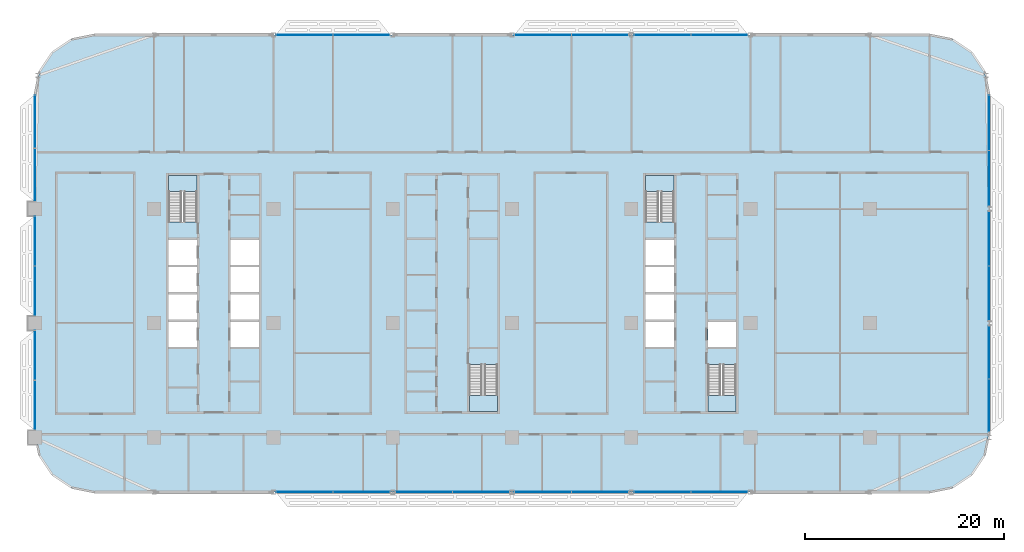
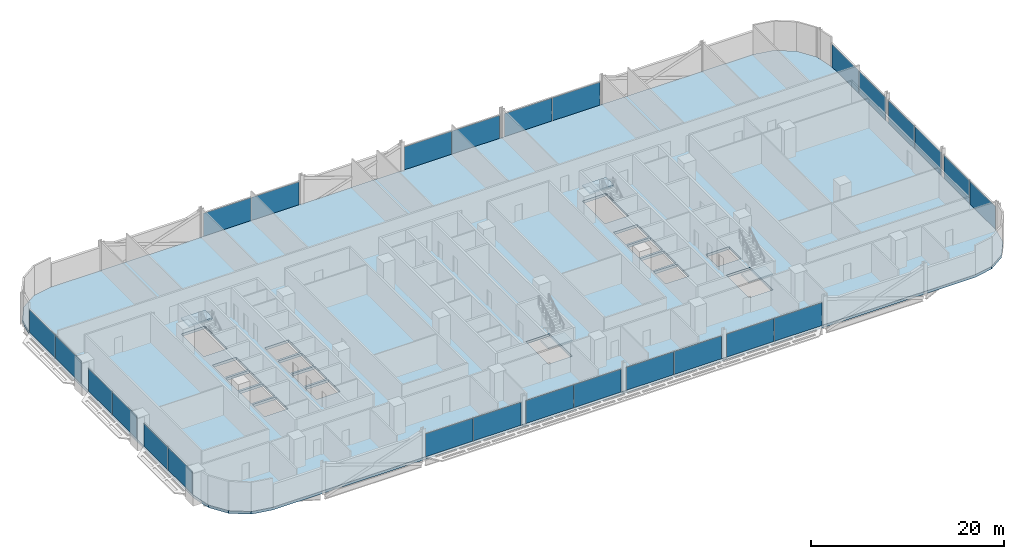
# One storey, part 11 of 29: 26 plates, 5 slabs, 17 elements without a shape of their own.
"""IFC4 building model written with IfcOpenShell, lengths in metres."""

from ifc_helpers import new_model, si_unit, direction, frame, origin, origin_2d, place, context, subcontext, project, spatial, polyline, rectangle, outline, extrude, material, layer, layer_set, type_object, element, aggregate, save


model = new_model("IFC4")

# Units and contexts
model_context = context("Model", 3, precision=1e-05, world=origin(), true_north=direction((0.0, 1.0)))
body_context = subcontext(model_context, "Body", "Model", "MODEL_VIEW")
ifc_project = project(units=[si_unit("LENGTHUNIT", "METRE"), si_unit("AREAUNIT", "SQUARE_METRE"), si_unit("VOLUMEUNIT", "CUBIC_METRE"), si_unit("PLANEANGLEUNIT", "RADIAN"), si_unit("MASSUNIT", "GRAM", prefix="KILO")], contexts=[model_context])

# Site, building, storey
site_placement = place(None, origin())
site = spatial("IfcSite", under=ifc_project, at=site_placement, CompositionType="ELEMENT")
building_placement = place(site_placement, origin())
building = spatial("IfcBuilding", under=site, at=building_placement, Name="Mahtab Terrace Research Tower", CompositionType="ELEMENT")
storey_placement = place(building_placement, frame((0.0, 0.0, 97.10009765625)))
storey = spatial("IfcBuildingStorey", under=building, at=storey_placement, Name="L22", CompositionType="ELEMENT", Elevation=97.10009765625)

# Stair, slab
ifc_material_1 = material(Name="Exit stair half-turn")
stair_type = type_object("IfcStairType", Name="Exit stair half-turn", PredefinedType="HALF_TURN_STAIR", material=ifc_material_1)
stair_1_placement = place(storey_placement, origin())
stair_1 = element("IfcStair", 1, at=stair_1_placement, inside=storey, type_object=stair_type, Name="L22 Protected exit stair ST1", PredefinedType="HALF_TURN_STAIR")
ifc_material_2 = material(Name="Concrete C40/50", Category="concrete")
ifc_layer_1 = layer(ifc_material_2, 0.199951171875)
ifc_layer_set_1 = layer_set([ifc_layer_1], Name="Exit stair landing 200")
slab_type_1 = type_object("IfcSlabType", Name="Exit stair landing 200", PredefinedType="LANDING", material=ifc_layer_set_1)
slab_1_placement = place(storey_placement, frame((0.0, 0.0, 1.849853515625)))
slab_1 = element("IfcSlab", 2, at=slab_1_placement, type_object=slab_type_1, Name="ST1 landing 1", PredefinedType="LANDING", context=body_context, shape_type="SweptSolid", body=[
    extrude(outline(polyline([(-25.699951171875, 13.2548828125), (-25.699951171875, 14.875), (-28.550048828125, 14.875), (-28.550048828125, 13.2548828125), (-25.699951171875, 13.2548828125)])), origin(), (0.0, 0.0, 1.0), 0.199951171875),
])
aggregate(stair_1, [slab_1])

stair_2_placement = place(storey_placement, origin())
stair_2 = element("IfcStair", 3, at=stair_2_placement, inside=storey, type_object=stair_type, Name="L22 Protected exit stair ST2", PredefinedType="HALF_TURN_STAIR")
slab_2_placement = place(storey_placement, frame((0.0, 0.0, 1.849853515625)))
slab_2 = element("IfcSlab", 4, at=slab_2_placement, type_object=slab_type_1, Name="ST2 landing 1", PredefinedType="LANDING", context=body_context, shape_type="SweptSolid", body=[
    extrude(outline(polyline([(1.699951171875, -7.2548828125), (1.699951171875, -8.875), (4.550048828125, -8.875), (4.550048828125, -7.2548828125), (1.699951171875, -7.2548828125)])), origin(), (0.0, 0.0, 1.0), 0.199951171875),
])
aggregate(stair_2, [slab_2])

stair_3_placement = place(storey_placement, origin())
stair_3 = element("IfcStair", 5, at=stair_3_placement, inside=storey, type_object=stair_type, Name="L22 Protected exit stair ST3", PredefinedType="HALF_TURN_STAIR")
slab_3_placement = place(storey_placement, frame((0.0, 0.0, 1.849853515625)))
slab_3 = element("IfcSlab", 6, at=slab_3_placement, type_object=slab_type_1, Name="ST3 landing 1", PredefinedType="LANDING", context=body_context, shape_type="SweptSolid", body=[
    extrude(outline(polyline([(22.300048828125, 13.2548828125), (22.300048828125, 14.875), (19.449951171875, 14.875), (19.449951171875, 13.2548828125), (22.300048828125, 13.2548828125)])), origin(), (0.0, 0.0, 1.0), 0.199951171875),
])
aggregate(stair_3, [slab_3])

stair_4_placement = place(storey_placement, origin())
stair_4 = element("IfcStair", 7, at=stair_4_placement, inside=storey, type_object=stair_type, Name="L22 Protected exit stair ST4", PredefinedType="HALF_TURN_STAIR")
slab_4_placement = place(storey_placement, frame((0.0, 0.0, 1.849853515625)))
slab_4 = element("IfcSlab", 8, at=slab_4_placement, type_object=slab_type_1, Name="ST4 landing 1", PredefinedType="LANDING", context=body_context, shape_type="SweptSolid", body=[
    extrude(outline(polyline([(25.699951171875, -7.2548828125), (25.699951171875, -8.875), (28.550048828125, -8.875), (28.550048828125, -7.2548828125), (25.699951171875, -7.2548828125)])), origin(), (0.0, 0.0, 1.0), 0.199951171875),
])
aggregate(stair_4, [slab_4])

# Curtain wall, plates
ifc_material_3 = material(Name="Laboratory ribbon curtain wall")
curtain_wall_type = type_object("IfcCurtainWallType", Name="Laboratory ribbon curtain wall", PredefinedType="NOTDEFINED", material=ifc_material_3)
curtain_wall_1_placement = place(storey_placement, origin())
curtain_wall_1 = element("IfcCurtainWall", 9, at=curtain_wall_1_placement, inside=storey, type_object=curtain_wall_type, Name="EN.L22.3.5", PredefinedType="NOTDEFINED")
ifc_material_4 = material(Name="Dark glazing", Category="glass")
ifc_layer_2 = layer(ifc_material_4, 0.031982421875)
ifc_layer_set_2 = layer_set([ifc_layer_2], Name="Laboratory ribbon curtain wall glazing panel")
plate_type = type_object("IfcPlateType", Name="Laboratory ribbon curtain wall glazing panel", PredefinedType="CURTAIN_PANEL", material=ifc_layer_set_2)
plate_1_placement = place(storey_placement, frame((26.86962890625, 29.0, 0.0), z_axis=(0.0, 0.0, 1.0), x_axis=(-1.0, 0.0, 0.0)))
plate_1 = element("IfcPlate", 10, at=plate_1_placement, type_object=plate_type, Name="CWL-3 panel 1", PredefinedType="CURTAIN_PANEL", context=body_context, shape_type="SweptSolid", body=[
    extrude(rectangle(XDim=5.674560546875, YDim=0.031982421875, at=origin_2d()), origin(), (0.0, 0.0, 1.0), 2.903076171875),
])
plate_2_placement = place(storey_placement, frame((21.13037109375, 29.0, 0.0), z_axis=(0.0, 0.0, 1.0), x_axis=(-1.0, 0.0, 0.0)))
plate_2 = element("IfcPlate", 11, at=plate_2_placement, type_object=plate_type, Name="CWL-3 panel 2", PredefinedType="CURTAIN_PANEL", context=body_context, shape_type="SweptSolid", body=[
    extrude(rectangle(XDim=5.674560546875, YDim=0.031982421875, at=origin_2d()), origin(), (0.0, 0.0, 1.0), 2.903076171875),
])
aggregate(curtain_wall_1, [plate_1, plate_2])

curtain_wall_2_placement = place(storey_placement, origin())
curtain_wall_2 = element("IfcCurtainWall", 12, at=curtain_wall_2_placement, inside=storey, type_object=curtain_wall_type, Name="EN.L22.3.6", PredefinedType="NOTDEFINED")
plate_3_placement = place(storey_placement, frame((14.86962890625, 29.0, 0.0), z_axis=(0.0, 0.0, 1.0), x_axis=(-1.0, 0.0, 0.0)))
plate_3 = element("IfcPlate", 13, at=plate_3_placement, type_object=plate_type, Name="CWL-3 panel 1", PredefinedType="CURTAIN_PANEL", context=body_context, shape_type="SweptSolid", body=[
    extrude(rectangle(XDim=5.674560546875, YDim=0.031982421875, at=origin_2d()), origin(), (0.0, 0.0, 1.0), 2.903076171875),
])
plate_4_placement = place(storey_placement, frame((9.13037109375, 29.0, 0.0), z_axis=(0.0, 0.0, 1.0), x_axis=(-1.0, 0.0, 0.0)))
plate_4 = element("IfcPlate", 14, at=plate_4_placement, type_object=plate_type, Name="CWL-3 panel 2", PredefinedType="CURTAIN_PANEL", context=body_context, shape_type="SweptSolid", body=[
    extrude(rectangle(XDim=5.674560546875, YDim=0.031982421875, at=origin_2d()), origin(), (0.0, 0.0, 1.0), 2.903076171875),
])
aggregate(curtain_wall_2, [plate_3, plate_4])

curtain_wall_3_placement = place(storey_placement, origin())
curtain_wall_3 = element("IfcCurtainWall", 15, at=curtain_wall_3_placement, inside=storey, type_object=curtain_wall_type, Name="EN.L22.3.8", PredefinedType="NOTDEFINED")
plate_5_placement = place(storey_placement, frame((-9.13037109375, 29.0, 0.0), z_axis=(0.0, 0.0, 1.0), x_axis=(-1.0, 0.0, 0.0)))
plate_5 = element("IfcPlate", 16, at=plate_5_placement, type_object=plate_type, Name="CWL-3 panel 1", PredefinedType="CURTAIN_PANEL", context=body_context, shape_type="SweptSolid", body=[
    extrude(rectangle(XDim=5.674560546875, YDim=0.031982421875, at=origin_2d()), origin(), (0.0, 0.0, 1.0), 2.903076171875),
])
plate_6_placement = place(storey_placement, frame((-14.86962890625, 29.0, 0.0), z_axis=(0.0, 0.0, 1.0), x_axis=(-1.0, 0.0, 0.0)))
plate_6 = element("IfcPlate", 17, at=plate_6_placement, type_object=plate_type, Name="CWL-3 panel 2", PredefinedType="CURTAIN_PANEL", context=body_context, shape_type="SweptSolid", body=[
    extrude(rectangle(XDim=5.674560546875, YDim=0.031982421875, at=origin_2d()), origin(), (0.0, 0.0, 1.0), 2.903076171875),
])
aggregate(curtain_wall_3, [plate_5, plate_6])

curtain_wall_4_placement = place(storey_placement, origin())
curtain_wall_4 = element("IfcCurtainWall", 18, at=curtain_wall_4_placement, inside=storey, type_object=curtain_wall_type, Name="EN.L22.8.16", PredefinedType="NOTDEFINED")
plate_7_placement = place(storey_placement, frame((-42.0, 20.28369140625, 0.0), z_axis=(0.0, 0.0, 1.0), x_axis=(0.0, -1.0, 0.0)))
plate_7 = element("IfcPlate", 19, at=plate_7_placement, type_object=plate_type, Name="CWL-3 panel 1", PredefinedType="CURTAIN_PANEL", context=body_context, shape_type="SweptSolid", body=[
    extrude(rectangle(XDim=5.302490234375, YDim=0.031982421875, at=origin_2d()), origin(), (0.0, 0.0, 1.0), 2.903076171875),
])
plate_8_placement = place(storey_placement, frame((-42.0, 14.916259765625, 0.0), z_axis=(0.0, 0.0, 1.0), x_axis=(0.0, -1.0, 0.0)))
plate_8 = element("IfcPlate", 20, at=plate_8_placement, type_object=plate_type, Name="CWL-3 panel 2", PredefinedType="CURTAIN_PANEL", context=body_context, shape_type="SweptSolid", body=[
    extrude(rectangle(XDim=5.302490234375, YDim=0.031982421875, at=origin_2d()), origin(), (0.0, 0.0, 1.0), 2.903076171875),
])
aggregate(curtain_wall_4, [plate_7, plate_8])

curtain_wall_5_placement = place(storey_placement, origin())
curtain_wall_5 = element("IfcCurtainWall", 21, at=curtain_wall_5_placement, inside=storey, type_object=curtain_wall_type, Name="EN.L22.8.17", PredefinedType="NOTDEFINED")
plate_9_placement = place(storey_placement, frame((-42.0, 8.2587890625, 0.0), z_axis=(0.0, 0.0, 1.0), x_axis=(0.0, -1.0, 0.0)))
plate_9 = element("IfcPlate", 22, at=plate_9_placement, type_object=plate_type, Name="CWL-3 panel 1", PredefinedType="CURTAIN_PANEL", context=body_context, shape_type="SweptSolid", body=[
    extrude(rectangle(XDim=4.952392578125, YDim=0.031982421875, at=origin_2d()), origin(), (0.0, 0.0, 1.0), 2.903076171875),
])
plate_10_placement = place(storey_placement, frame((-42.0, 3.2412109375, 0.0), z_axis=(0.0, 0.0, 1.0), x_axis=(0.0, -1.0, 0.0)))
plate_10 = element("IfcPlate", 23, at=plate_10_placement, type_object=plate_type, Name="CWL-3 panel 2", PredefinedType="CURTAIN_PANEL", context=body_context, shape_type="SweptSolid", body=[
    extrude(rectangle(XDim=4.952392578125, YDim=0.031982421875, at=origin_2d()), origin(), (0.0, 0.0, 1.0), 2.903076171875),
])
aggregate(curtain_wall_5, [plate_9, plate_10])

curtain_wall_6_placement = place(storey_placement, origin())
curtain_wall_6 = element("IfcCurtainWall", 24, at=curtain_wall_6_placement, inside=storey, type_object=curtain_wall_type, Name="EN.L22.8.18", PredefinedType="NOTDEFINED")
plate_11_placement = place(storey_placement, frame((-42.0, -3.2412109375, 0.0), z_axis=(0.0, 0.0, 1.0), x_axis=(0.0, -1.0, 0.0)))
plate_11 = element("IfcPlate", 25, at=plate_11_placement, type_object=plate_type, Name="CWL-3 panel 1", PredefinedType="CURTAIN_PANEL", context=body_context, shape_type="SweptSolid", body=[
    extrude(rectangle(XDim=4.952392578125, YDim=0.031982421875, at=origin_2d()), origin(), (0.0, 0.0, 1.0), 2.903076171875),
])
plate_12_placement = place(storey_placement, frame((-42.0, -8.2587890625, 0.0), z_axis=(0.0, 0.0, 1.0), x_axis=(0.0, -1.0, 0.0)))
plate_12 = element("IfcPlate", 26, at=plate_12_placement, type_object=plate_type, Name="CWL-3 panel 2", PredefinedType="CURTAIN_PANEL", context=body_context, shape_type="SweptSolid", body=[
    extrude(rectangle(XDim=4.952392578125, YDim=0.031982421875, at=origin_2d()), origin(), (0.0, 0.0, 1.0), 2.903076171875),
])
aggregate(curtain_wall_6, [plate_11, plate_12])

curtain_wall_7_placement = place(storey_placement, origin())
curtain_wall_7 = element("IfcCurtainWall", 27, at=curtain_wall_7_placement, inside=storey, type_object=curtain_wall_type, Name="EN.L22.13.25", PredefinedType="NOTDEFINED")
plate_13_placement = place(storey_placement, frame((-14.86962890625, -17.0, 0.0), z_axis=(0.0, 0.0, 1.0), x_axis=(1.0, 0.0, 0.0)))
plate_13 = element("IfcPlate", 28, at=plate_13_placement, type_object=plate_type, Name="CWL-3 panel 1", PredefinedType="CURTAIN_PANEL", context=body_context, shape_type="SweptSolid", body=[
    extrude(rectangle(XDim=5.674560546875, YDim=0.031982421875, at=origin_2d()), origin(), (0.0, 0.0, 1.0), 2.903076171875),
])
plate_14_placement = place(storey_placement, frame((-9.13037109375, -17.0, 0.0), z_axis=(0.0, 0.0, 1.0), x_axis=(1.0, 0.0, 0.0)))
plate_14 = element("IfcPlate", 29, at=plate_14_placement, type_object=plate_type, Name="CWL-3 panel 2", PredefinedType="CURTAIN_PANEL", context=body_context, shape_type="SweptSolid", body=[
    extrude(rectangle(XDim=5.674560546875, YDim=0.031982421875, at=origin_2d()), origin(), (0.0, 0.0, 1.0), 2.903076171875),
])
aggregate(curtain_wall_7, [plate_13, plate_14])

curtain_wall_8_placement = place(storey_placement, origin())
curtain_wall_8 = element("IfcCurtainWall", 30, at=curtain_wall_8_placement, inside=storey, type_object=curtain_wall_type, Name="EN.L22.13.26", PredefinedType="NOTDEFINED")
plate_15_placement = place(storey_placement, frame((-2.86962890625, -17.0, 0.0), z_axis=(0.0, 0.0, 1.0), x_axis=(1.0, 0.0, 0.0)))
plate_15 = element("IfcPlate", 31, at=plate_15_placement, type_object=plate_type, Name="CWL-3 panel 1", PredefinedType="CURTAIN_PANEL", context=body_context, shape_type="SweptSolid", body=[
    extrude(rectangle(XDim=5.674560546875, YDim=0.031982421875, at=origin_2d()), origin(), (0.0, 0.0, 1.0), 2.903076171875),
])
plate_16_placement = place(storey_placement, frame((2.86962890625, -17.0, 0.0), z_axis=(0.0, 0.0, 1.0), x_axis=(1.0, 0.0, 0.0)))
plate_16 = element("IfcPlate", 32, at=plate_16_placement, type_object=plate_type, Name="CWL-3 panel 2", PredefinedType="CURTAIN_PANEL", context=body_context, shape_type="SweptSolid", body=[
    extrude(rectangle(XDim=5.674560546875, YDim=0.031982421875, at=origin_2d()), origin(), (0.0, 0.0, 1.0), 2.903076171875),
])
aggregate(curtain_wall_8, [plate_15, plate_16])

curtain_wall_9_placement = place(storey_placement, origin())
curtain_wall_9 = element("IfcCurtainWall", 33, at=curtain_wall_9_placement, inside=storey, type_object=curtain_wall_type, Name="EN.L22.13.27", PredefinedType="NOTDEFINED")
plate_17_placement = place(storey_placement, frame((9.13037109375, -17.0, 0.0), z_axis=(0.0, 0.0, 1.0), x_axis=(1.0, 0.0, 0.0)))
plate_17 = element("IfcPlate", 34, at=plate_17_placement, type_object=plate_type, Name="CWL-3 panel 1", PredefinedType="CURTAIN_PANEL", context=body_context, shape_type="SweptSolid", body=[
    extrude(rectangle(XDim=5.674560546875, YDim=0.031982421875, at=origin_2d()), origin(), (0.0, 0.0, 1.0), 2.903076171875),
])
plate_18_placement = place(storey_placement, frame((14.86962890625, -17.0, 0.0), z_axis=(0.0, 0.0, 1.0), x_axis=(1.0, 0.0, 0.0)))
plate_18 = element("IfcPlate", 35, at=plate_18_placement, type_object=plate_type, Name="CWL-3 panel 2", PredefinedType="CURTAIN_PANEL", context=body_context, shape_type="SweptSolid", body=[
    extrude(rectangle(XDim=5.674560546875, YDim=0.031982421875, at=origin_2d()), origin(), (0.0, 0.0, 1.0), 2.903076171875),
])
aggregate(curtain_wall_9, [plate_17, plate_18])

curtain_wall_10_placement = place(storey_placement, origin())
curtain_wall_10 = element("IfcCurtainWall", 36, at=curtain_wall_10_placement, inside=storey, type_object=curtain_wall_type, Name="EN.L22.13.28", PredefinedType="NOTDEFINED")
plate_19_placement = place(storey_placement, frame((21.13037109375, -17.0, 0.0), z_axis=(0.0, 0.0, 1.0), x_axis=(1.0, 0.0, 0.0)))
plate_19 = element("IfcPlate", 37, at=plate_19_placement, type_object=plate_type, Name="CWL-3 panel 1", PredefinedType="CURTAIN_PANEL", context=body_context, shape_type="SweptSolid", body=[
    extrude(rectangle(XDim=5.674560546875, YDim=0.031982421875, at=origin_2d()), origin(), (0.0, 0.0, 1.0), 2.903076171875),
])
plate_20_placement = place(storey_placement, frame((26.86962890625, -17.0, 0.0), z_axis=(0.0, 0.0, 1.0), x_axis=(1.0, 0.0, 0.0)))
plate_20 = element("IfcPlate", 38, at=plate_20_placement, type_object=plate_type, Name="CWL-3 panel 2", PredefinedType="CURTAIN_PANEL", context=body_context, shape_type="SweptSolid", body=[
    extrude(rectangle(XDim=5.674560546875, YDim=0.031982421875, at=origin_2d()), origin(), (0.0, 0.0, 1.0), 2.903076171875),
])
aggregate(curtain_wall_10, [plate_19, plate_20])

curtain_wall_11_placement = place(storey_placement, origin())
curtain_wall_11 = element("IfcCurtainWall", 39, at=curtain_wall_11_placement, inside=storey, type_object=curtain_wall_type, Name="EN.L22.18.36", PredefinedType="NOTDEFINED")
plate_21_placement = place(storey_placement, frame((54.0, -8.290771484375, 0.0), z_axis=(0.0, 0.0, 1.0), x_axis=(0.0, 1.0, 0.0)))
plate_21 = element("IfcPlate", 40, at=plate_21_placement, type_object=plate_type, Name="CWL-3 panel 1", PredefinedType="CURTAIN_PANEL", context=body_context, shape_type="SweptSolid", body=[
    extrude(rectangle(XDim=5.28857421875, YDim=0.031982421875, at=origin_2d()), origin(), (0.0, 0.0, 1.0), 2.903076171875),
])
plate_22_placement = place(storey_placement, frame((54.0, -2.937255859375, 0.0), z_axis=(0.0, 0.0, 1.0), x_axis=(0.0, 1.0, 0.0)))
plate_22 = element("IfcPlate", 41, at=plate_22_placement, type_object=plate_type, Name="CWL-3 panel 2", PredefinedType="CURTAIN_PANEL", context=body_context, shape_type="SweptSolid", body=[
    extrude(rectangle(XDim=5.28857421875, YDim=0.031982421875, at=origin_2d()), origin(), (0.0, 0.0, 1.0), 2.903076171875),
])
aggregate(curtain_wall_11, [plate_21, plate_22])

curtain_wall_12_placement = place(storey_placement, origin())
curtain_wall_12 = element("IfcCurtainWall", 42, at=curtain_wall_12_placement, inside=storey, type_object=curtain_wall_type, Name="EN.L22.18.37", PredefinedType="NOTDEFINED")
plate_23_placement = place(storey_placement, frame((54.0, 3.00537109375, 0.0), z_axis=(0.0, 0.0, 1.0), x_axis=(0.0, 1.0, 0.0)))
plate_23 = element("IfcPlate", 43, at=plate_23_placement, type_object=plate_type, Name="CWL-3 panel 1", PredefinedType="CURTAIN_PANEL", context=body_context, shape_type="SweptSolid", body=[
    extrude(rectangle(XDim=5.424560546875, YDim=0.031982421875, at=origin_2d()), origin(), (0.0, 0.0, 1.0), 2.903076171875),
])
plate_24_placement = place(storey_placement, frame((54.0, 8.49462890625, 0.0), z_axis=(0.0, 0.0, 1.0), x_axis=(0.0, 1.0, 0.0)))
plate_24 = element("IfcPlate", 44, at=plate_24_placement, type_object=plate_type, Name="CWL-3 panel 2", PredefinedType="CURTAIN_PANEL", context=body_context, shape_type="SweptSolid", body=[
    extrude(rectangle(XDim=5.424560546875, YDim=0.031982421875, at=origin_2d()), origin(), (0.0, 0.0, 1.0), 2.903076171875),
])
aggregate(curtain_wall_12, [plate_23, plate_24])

curtain_wall_13_placement = place(storey_placement, origin())
curtain_wall_13 = element("IfcCurtainWall", 45, at=curtain_wall_13_placement, inside=storey, type_object=curtain_wall_type, Name="EN.L22.18.38", PredefinedType="NOTDEFINED")
plate_25_placement = place(storey_placement, frame((54.0, 14.562255859375, 0.0), z_axis=(0.0, 0.0, 1.0), x_axis=(0.0, 1.0, 0.0)))
plate_25 = element("IfcPlate", 46, at=plate_25_placement, type_object=plate_type, Name="CWL-3 panel 1", PredefinedType="CURTAIN_PANEL", context=body_context, shape_type="SweptSolid", body=[
    extrude(rectangle(XDim=5.53857421875, YDim=0.031982421875, at=origin_2d()), origin(), (0.0, 0.0, 1.0), 2.903076171875),
])
plate_26_placement = place(storey_placement, frame((54.0, 20.165771484375, 0.0), z_axis=(0.0, 0.0, 1.0), x_axis=(0.0, 1.0, 0.0)))
plate_26 = element("IfcPlate", 47, at=plate_26_placement, type_object=plate_type, Name="CWL-3 panel 2", PredefinedType="CURTAIN_PANEL", context=body_context, shape_type="SweptSolid", body=[
    extrude(rectangle(XDim=5.53857421875, YDim=0.031982421875, at=origin_2d()), origin(), (0.0, 0.0, 1.0), 2.903076171875),
])
aggregate(curtain_wall_13, [plate_25, plate_26])

# Slab
ifc_layer_3 = layer(ifc_material_2, 0.340087890625)
ifc_layer_set_3 = layer_set([ifc_layer_3], Name="PT flat slab 340")
slab_type_2 = type_object("IfcSlabType", Name="PT flat slab 340", PredefinedType="FLOOR", material=ifc_layer_set_3)
slab_5_placement = place(storey_placement, frame((0.0, 0.0, -0.340087890625)))
element("IfcSlab", 48, at=slab_5_placement, inside=storey, type_object=slab_type_2, Name="Floor slab L22", PredefinedType="FLOOR", context=body_context, shape_type="SweptSolid", body=[
    extrude(outline(polyline([(53.54296875, 25.2958984375), (52.242919921875, 27.242919921875), (50.2958984375, 28.54296875), (48.0, 29.0), (-36.0, 29.0), (-38.2958984375, 28.54296875), (-40.242919921875, 27.242919921875), (-41.54296875, 25.2958984375), (-42.0, 23.0), (-42.0, -11.0), (-41.54296875, -13.2958984375), (-40.242919921875, -15.242919921875), (-38.2958984375, -16.54296875), (-36.0, -17.0), (48.0, -17.0), (50.2958984375, -16.54296875), (52.242919921875, -15.242919921875), (53.54296875, -13.2958984375), (54.0, -11.0), (54.0, 23.0), (53.54296875, 25.2958984375)]), holes=[polyline([(-28.550048828125, -2.375), (-28.550048828125, 0.125), (-25.699951171875, 0.125), (-25.699951171875, -2.375), (-28.550048828125, -2.375)]), polyline([(-22.300048828125, -2.375), (-22.300048828125, 0.125), (-19.449951171875, 0.125), (-19.449951171875, -2.375), (-22.300048828125, -2.375)]), polyline([(-28.550048828125, 0.375), (-28.550048828125, 2.875), (-25.699951171875, 2.875), (-25.699951171875, 0.375), (-28.550048828125, 0.375)]), polyline([(-22.300048828125, 0.375), (-22.300048828125, 2.875), (-19.449951171875, 2.875), (-19.449951171875, 0.375), (-22.300048828125, 0.375)]), polyline([(-28.550048828125, 3.125), (-28.550048828125, 5.625), (-25.699951171875, 5.625), (-25.699951171875, 3.125), (-28.550048828125, 3.125)]), polyline([(-22.300048828125, 3.125), (-22.300048828125, 5.625), (-19.449951171875, 5.625), (-19.449951171875, 3.125), (-22.300048828125, 3.125)]), polyline([(-28.550048828125, 5.875), (-28.550048828125, 8.375), (-25.699951171875, 8.375), (-25.699951171875, 5.875), (-28.550048828125, 5.875)]), polyline([(-22.300048828125, 5.875), (-22.300048828125, 8.375), (-19.449951171875, 8.375), (-19.449951171875, 5.875), (-22.300048828125, 5.875)]), polyline([(-28.550048828125, 10.177001953125), (-28.550048828125, 14.875), (-25.699951171875, 14.875), (-25.699951171875, 10.177001953125), (-28.550048828125, 10.177001953125)]), polyline([(1.699951171875, -8.875), (1.699951171875, -4.177001953125), (4.550048828125, -4.177001953125), (4.550048828125, -8.875), (1.699951171875, -8.875)]), polyline([(25.699951171875, -8.875), (25.699951171875, -4.177001953125), (28.550048828125, -4.177001953125), (28.550048828125, -8.875), (25.699951171875, -8.875)]), polyline([(19.449951171875, -2.375), (19.449951171875, 0.125), (22.300048828125, 0.125), (22.300048828125, -2.375), (19.449951171875, -2.375)]), polyline([(25.699951171875, -2.375), (25.699951171875, 0.125), (28.550048828125, 0.125), (28.550048828125, -2.375), (25.699951171875, -2.375)]), polyline([(19.449951171875, 0.375), (19.449951171875, 2.875), (22.300048828125, 2.875), (22.300048828125, 0.375), (19.449951171875, 0.375)]), polyline([(19.449951171875, 3.125), (19.449951171875, 5.625), (22.300048828125, 5.625), (22.300048828125, 3.125), (19.449951171875, 3.125)]), polyline([(19.449951171875, 8.375), (22.300048828125, 8.375), (22.300048828125, 5.875), (19.449951171875, 5.875), (19.449951171875, 8.375)]), polyline([(19.449951171875, 14.875), (22.300048828125, 14.875), (22.300048828125, 10.177001953125), (19.449951171875, 10.177001953125), (19.449951171875, 14.875)])]), origin(), (0.0, 0.0, 1.0), 0.340087890625),
])

save(model, "model.ifc")
